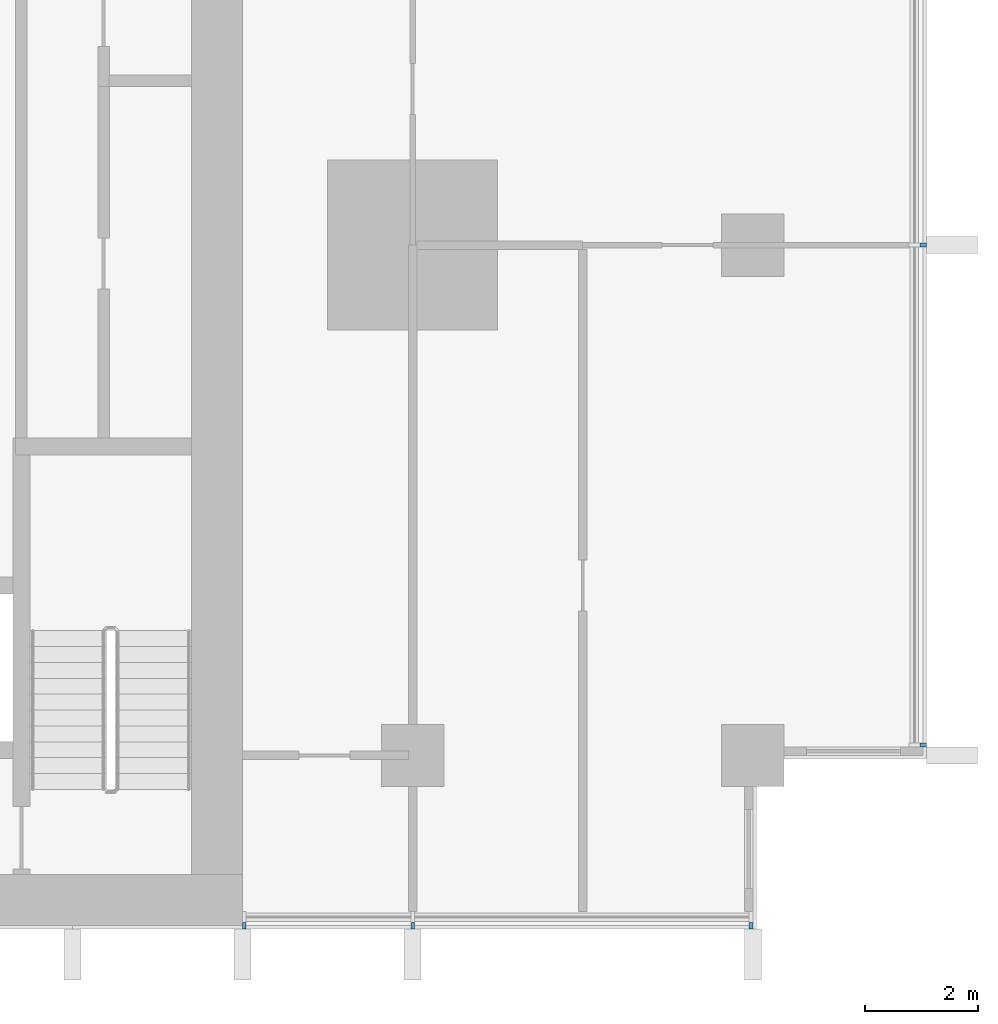
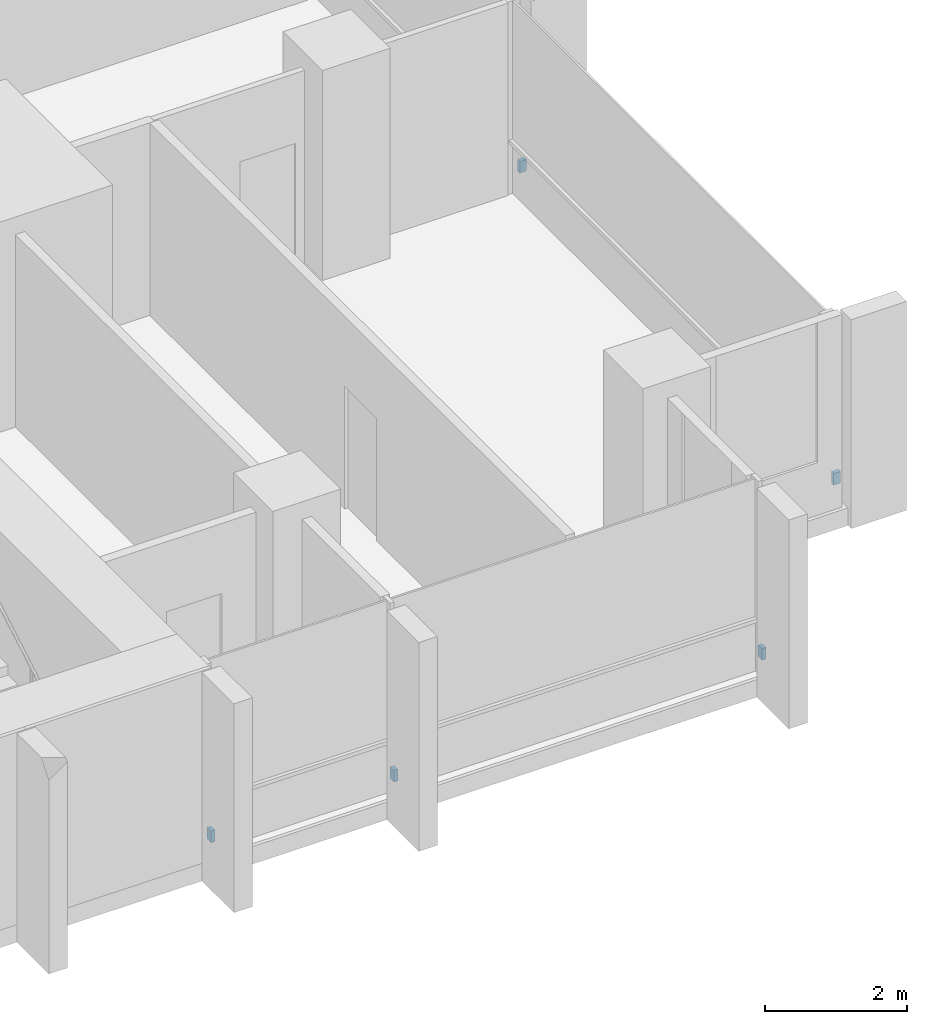
# One storey, part 15 of 18: 5 discrete accessories.
"""IFC4 building model written with IfcOpenShell, lengths in metres."""

import ifcopenshell
import ifcopenshell.guid

model = None  # the IFC model being written
_history = None  # IfcOwnerHistory: only IFC2X3 demands one
_inside = {}  # id of a spatial element -> (the spatial element, [elements in it])
_under = {}  # id of a project, library or spatial element -> (it, [spatial elements below it])
_declared = {}  # id of a project -> (the project, [libraries it declares])
_typed = {}  # id of a type object -> (the type object, [elements of that type])
_made_of = {}  # id of a material, layer set ... -> (it, [elements and type objects made of it])


def new_model(schema):
    """Start an empty IFC model of exactly this schema.

    Asked for "IFC4X3", IfcOpenShell would pick the latest addendum, in which some entities
    have other attributes; the version numbers below select the first issue.
    IFC2X3 requires an IfcOwnerHistory on every rooted entity: one is made here for all.
    """
    global model, _history
    if schema == "IFC4X3":
        model = ifcopenshell.file(schema_version=(4, 3, 0, 0))
    else:
        model = ifcopenshell.file(schema=schema)
    _inside.clear()
    _under.clear()
    _declared.clear()
    _typed.clear()
    _made_of.clear()
    _history = None
    if model.schema == "IFC2X3":
        org = make("IfcOrganization", Name="unknown")
        user = make(
            "IfcPersonAndOrganization",
            ThePerson=make("IfcPerson", FamilyName="unknown"),
            TheOrganization=org,
        )
        app = make(
            "IfcApplication",
            ApplicationDeveloper=org,
            Version="unknown",
            ApplicationFullName="unknown",
            ApplicationIdentifier="unknown",
        )
        _history = make(
            "IfcOwnerHistory",
            OwningUser=user,
            OwningApplication=app,
            ChangeAction="ADDED",
            CreationDate=0,
        )
    return model


def make(cls, **values):
    """One entity of the class cls with the attributes given. An attribute that is None is left unset."""
    return model.create_entity(
        cls, **{name: value for name, value in values.items() if value is not None}
    )


def rooted(cls, **values):
    """An entity with a GlobalId (a new one), such as an element, a storey or a relation."""
    return make(cls, GlobalId=ifcopenshell.guid.new(), OwnerHistory=_history, **values)


def si_unit(unit_type, name, prefix=None):
    """IfcSIUnit, for example si_unit("LENGTHUNIT", "METRE", prefix="MILLI")."""
    return make("IfcSIUnit", UnitType=unit_type, Prefix=prefix, Name=name)


def assignment(units):
    """IfcUnitAssignment: the units of a project."""
    return None if units is None else make("IfcUnitAssignment", Units=units)


def point(xyz):
    """IfcCartesianPoint."""
    return None if xyz is None else make("IfcCartesianPoint", Coordinates=xyz)


def direction(xyz):
    """IfcDirection."""
    return None if xyz is None else make("IfcDirection", DirectionRatios=xyz)


def frame(location, z_axis=None, x_axis=None):
    """IfcAxis2Placement3D, a coordinate frame: its origin and axes. An axis left out is left unset."""
    return make(
        "IfcAxis2Placement3D",
        Location=point(location),
        Axis=direction(z_axis),
        RefDirection=direction(x_axis),
    )


def frame_2d(location, x_axis=None):
    """IfcAxis2Placement2D, a coordinate frame in the plane: its origin and x axis."""
    return make(
        "IfcAxis2Placement2D", Location=point(location), RefDirection=direction(x_axis)
    )


def origin():
    """The frame at (0, 0, 0) with its axes left unset."""
    return frame((0.0, 0.0, 0.0))


def origin_2d():
    """The frame at (0, 0) in the plane with its x axis left unset."""
    return frame_2d((0.0, 0.0))


def place(relative_to, where):
    """IfcLocalPlacement: puts the frame where relative to a parent placement (None: the world)."""
    return make(
        "IfcLocalPlacement", PlacementRelTo=relative_to, RelativePlacement=where
    )


def context(
    kind, dimensions, precision=None, world=None, true_north=None, identifier=None
):
    """IfcGeometricRepresentationContext, for example the 3D "Model" context."""
    return make(
        "IfcGeometricRepresentationContext",
        ContextIdentifier=identifier,
        ContextType=kind,
        CoordinateSpaceDimension=dimensions,
        Precision=precision,
        WorldCoordinateSystem=world,
        TrueNorth=true_north,
    )


def subcontext(parent, identifier, kind, view, scale=None):
    """IfcGeometricRepresentationSubContext, for example "Body" below "Model"."""
    return make(
        "IfcGeometricRepresentationSubContext",
        ContextIdentifier=identifier,
        ContextType=kind,
        ParentContext=parent,
        TargetScale=scale,
        TargetView=view,
    )


def project(units=None, contexts=None):
    """IfcProject with its units and contexts."""
    return rooted(
        "IfcProject",
        Name="project",
        RepresentationContexts=contexts,
        UnitsInContext=assignment(units),
    )


def spatial(cls, under=None, at=None, **own):
    """A site, building, storey or space (cls), placed at a placement, below another one or the project."""
    s = rooted(cls, ObjectPlacement=at, **own)
    if under is not None:
        _under.setdefault(under.id(), (under, []))[1].append(s)
    return s


def profile(cls, at=None, kind="AREA", **sizes):
    """A parametric profile (cls). Its sizes go by their IFC names, for example OverallWidth=200.0."""
    return make(cls, ProfileType=kind, Position=at, **sizes)


def rectangle(**sizes):
    """IfcRectangleProfileDef."""
    return profile("IfcRectangleProfileDef", **sizes)


def extrude(swept, where, along, depth):
    """IfcExtrudedAreaSolid: the profile swept, set in the frame where, extruded along a direction by depth."""
    return make(
        "IfcExtrudedAreaSolid",
        SweptArea=swept,
        Position=where,
        ExtrudedDirection=direction(along),
        Depth=depth,
    )


def shape(context_of_items, identifier, shape_type, items):
    """IfcShapeRepresentation: the items that make up one representation, for example the "Body"."""
    return make(
        "IfcShapeRepresentation",
        ContextOfItems=context_of_items,
        RepresentationIdentifier=identifier,
        RepresentationType=shape_type,
        Items=items,
    )


def material(Name=None, Category=None):
    """IfcMaterial."""
    return make("IfcMaterial", Name=Name, Category=Category)


def made_of(thing, what):
    """Note that an element or type object is made of a material, layer set ...; save() writes the relation."""
    if what is not None:
        _made_of.setdefault(what.id(), (what, []))[1].append(thing)
    return thing


def type_object(cls, material=None, **own):
    """A type object (cls), such as IfcWallType, which elements share."""
    return made_of(rooted(cls, **own), material)


def element(
    cls,
    number,
    at=None,
    inside=None,
    cuts=None,
    type_object=None,
    material=None,
    context=None,
    identifier="Body",
    shape_type=None,
    held_by="IfcProductDefinitionShape",
    body=None,
    shapes=None,
    **own,
):
    """One element of the class cls, such as IfcWall. Its Tag is "e" and its number.

    at: its placement. inside: the storey or other place that contains it. cuts: it is an
    opening in that element (IfcRelVoidsElement). A single representation is given by context,
    identifier, shape_type and body (its items); several are given by shapes. held_by: the class
    of the entity that holds the representations. save() writes the other relations.
    """
    e = rooted(cls, Tag="e%d" % number, ObjectPlacement=at, **own)
    if body is not None:
        shapes = [shape(context, identifier, shape_type, body)]
    if shapes is not None:
        e.Representation = make(held_by, Representations=shapes)
    if inside is not None:
        _inside.setdefault(inside.id(), (inside, []))[1].append(e)
    if cuts is not None:
        rooted(
            "IfcRelVoidsElement", RelatingBuildingElement=cuts, RelatedOpeningElement=e
        )
    if type_object is not None:
        _typed.setdefault(type_object.id(), (type_object, []))[1].append(e)
    return made_of(e, material)


def aggregate(whole, parts):
    """IfcRelAggregates: a whole, such as a stair, and the parts it consists of."""
    return rooted("IfcRelAggregates", RelatingObject=whole, RelatedObjects=parts)


def save(model, path):
    """Write the relations noted so far, then the file.

    IfcRelAggregates (storeys below a building ...), IfcRelContainedInSpatialStructure (elements
    in a storey), IfcRelDefinesByType, IfcRelAssociatesMaterial and IfcRelDeclares: one each for
    every whole, place, type object, material and project.
    """
    for whole, parts in _under.values():
        aggregate(whole, parts)
    for where, things in _inside.values():
        rooted(
            "IfcRelContainedInSpatialStructure",
            RelatedElements=things,
            RelatingStructure=where,
        )
    for kind, things in _typed.values():
        rooted("IfcRelDefinesByType", RelatedObjects=things, RelatingType=kind)
    for what, things in _made_of.values():
        rooted("IfcRelAssociatesMaterial", RelatedObjects=things, RelatingMaterial=what)
    for by, libraries in _declared.values():
        rooted("IfcRelDeclares", RelatingContext=by, RelatedDefinitions=libraries)
    model.write(path)


model = new_model("IFC4")

# Units and contexts
model_context = context("Model", 3, precision=1e-05, world=origin(), true_north=direction((0.0, 1.0)))
body_context = subcontext(model_context, "Body", "Model", "MODEL_VIEW")
ifc_project = project(units=[si_unit("LENGTHUNIT", "METRE"), si_unit("AREAUNIT", "SQUARE_METRE"), si_unit("VOLUMEUNIT", "CUBIC_METRE"), si_unit("PLANEANGLEUNIT", "RADIAN"), si_unit("MASSUNIT", "GRAM", prefix="KILO")], contexts=[model_context])

# Site, building, storey
site_placement = place(None, origin())
site = spatial("IfcSite", under=ifc_project, at=site_placement, CompositionType="ELEMENT")
building_placement = place(site_placement, origin())
building = spatial("IfcBuilding", under=site, at=building_placement, Name="Finial Court Residences", CompositionType="ELEMENT")
storey_placement = place(building_placement, frame((0.0, 0.0, 43.300048828125)))
storey = spatial("IfcBuildingStorey", under=building, at=storey_placement, Name="L09", CompositionType="ELEMENT", Elevation=43.300048828125)

# Discrete accessories
ifc_material = material(Name="Stainless steel 316", Category="steel")
discrete_accessory_type = type_object("IfcDiscreteAccessoryType", Name="Fin bracket, stainless steel 65 x 110 x 200", PredefinedType="BRACKET", material=ifc_material)
for number, where, z_axis, x_axis, name in (
    (1, (25.5048828125, -22.3173828125, 0.2998046875), (0.0, 0.0, 1.0), (1.0, 0.0, 0.0), "E-L09-FIN-E9-BRK"),
    (2, (25.5048828125, -13.5, 0.2998046875), (0.0, 0.0, 1.0), (1.0, 0.0, 0.0), "E-L09-FIN-E10-BRK"),
):
    element("IfcDiscreteAccessory", number, at=place(storey_placement, frame(where, z_axis=z_axis, x_axis=x_axis)), inside=storey, type_object=discrete_accessory_type, Name=name, PredefinedType="BRACKET", context=body_context, shape_type="SweptSolid", body=[
        extrude(rectangle(XDim=0.110107421875, YDim=0.06494140625, at=origin_2d()), origin(), (0.0, 0.0, 1.0), 0.199951171875),
    ])
for number, where, z_axis, x_axis, name in (
    (3, (13.532470703125, -25.5048828125, 0.2998046875), (0.0, 0.0, 1.0), (1.0, 0.0, 0.0), "E-L09-FIN-S24-BRK"),
    (4, (16.5, -25.5048828125, 0.2998046875), (0.0, 0.0, 1.0), (1.0, 0.0, 0.0), "E-L09-FIN-S25-BRK"),
    (5, (22.467529296875, -25.5048828125, 0.2998046875), (0.0, 0.0, 1.0), (1.0, 0.0, 0.0), "E-L09-FIN-S26-BRK"),
):
    element("IfcDiscreteAccessory", number, at=place(storey_placement, frame(where, z_axis=z_axis, x_axis=x_axis)), inside=storey, type_object=discrete_accessory_type, Name=name, PredefinedType="BRACKET", context=body_context, shape_type="SweptSolid", body=[
        extrude(rectangle(XDim=0.06494140625, YDim=0.110107421875, at=origin_2d()), origin(), (0.0, 0.0, 1.0), 0.199951171875),
    ])

save(model, "model.ifc")
